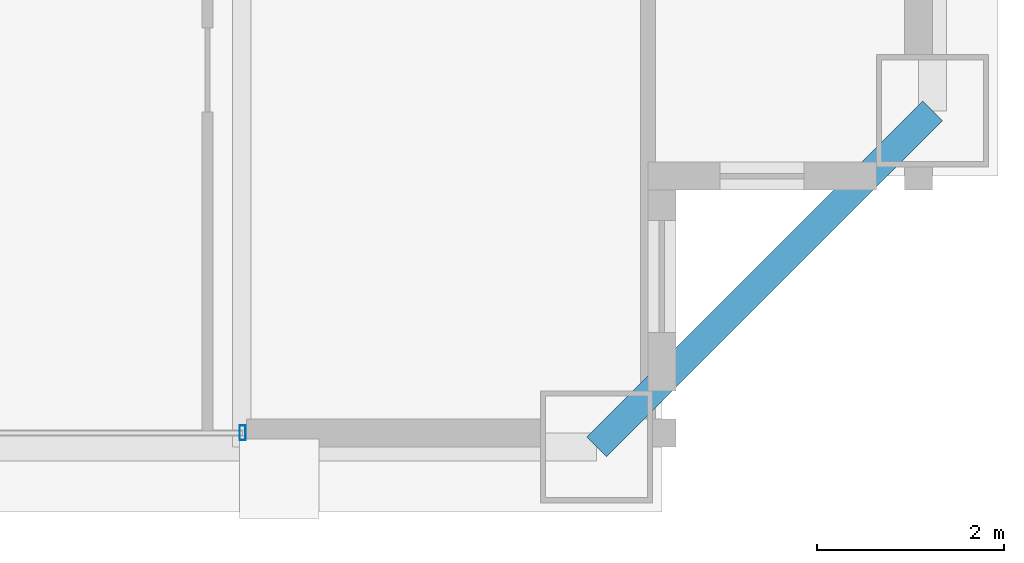
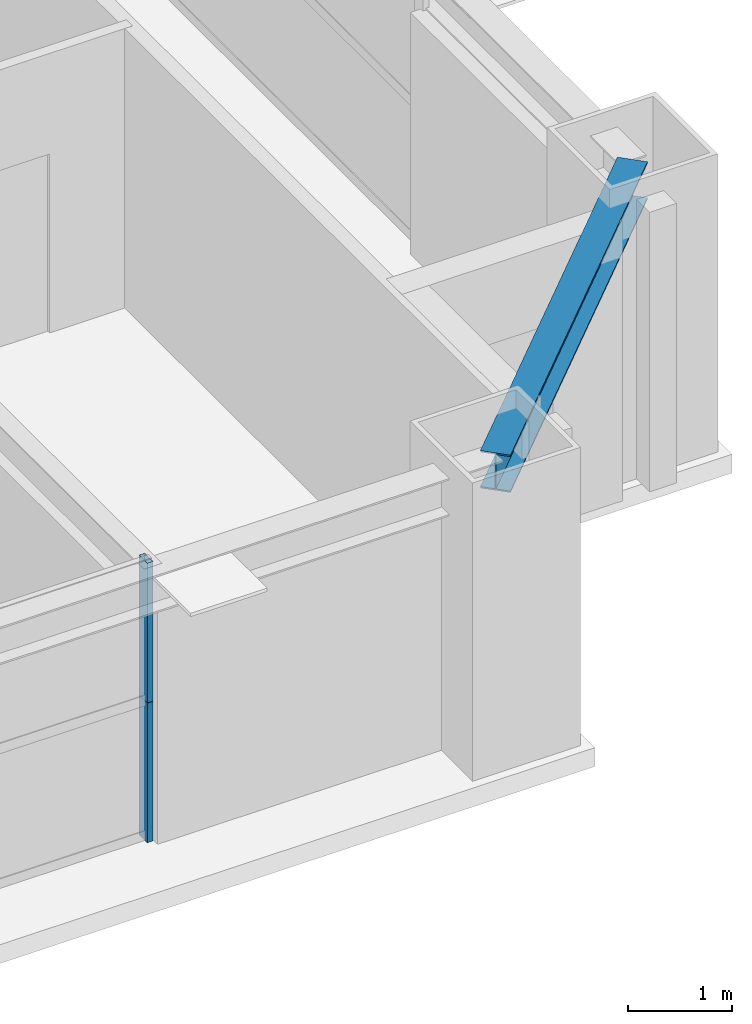
# One storey, part 15 of 36: 2 members, 1 beam, 1 element without a shape of its own.
"""IFC4 building model written with IfcOpenShell, lengths in metres."""

from ifc_helpers import new_model, si_unit, direction, frame, origin, origin_2d, place, context, subcontext, project, spatial, hollow_rectangle, i_section, extrude, source, transform, mapped, material, layer, layer_set, material_profile, profile_set, type_object, element, aggregate, save


model = new_model("IFC4")

# Units and contexts
model_context = context("Model", 3, precision=1e-05, world=origin(), true_north=direction((0.0, 1.0)))
body_context = subcontext(model_context, "Body", "Model", "MODEL_VIEW")
ifc_project = project(units=[si_unit("LENGTHUNIT", "METRE"), si_unit("AREAUNIT", "SQUARE_METRE"), si_unit("VOLUMEUNIT", "CUBIC_METRE"), si_unit("PLANEANGLEUNIT", "RADIAN"), si_unit("MASSUNIT", "GRAM", prefix="KILO"), si_unit("THERMODYNAMICTEMPERATUREUNIT", "KELVIN"), si_unit("POWERUNIT", "WATT")], contexts=[model_context])

# Site, building, storey
site_placement = place(None, origin())
site = spatial("IfcSite", under=ifc_project, at=site_placement, CompositionType="ELEMENT")
building_placement = place(site_placement, origin())
building = spatial("IfcBuilding", under=site, at=building_placement, Name="Yuzanri Waterfront Tower", CompositionType="ELEMENT")
storey_placement = place(building_placement, frame((0.0, 0.0, 231.10009765625)))
storey = spatial("IfcBuildingStorey", under=building, at=storey_placement, Name="L61", CompositionType="ELEMENT", Elevation=231.10009765625)

# Beam
ifc_material_1 = material(Name="Steel Q355B", Category="steel")
ifc_material_profile_1 = material_profile(ifc_material_1, i_section(OverallWidth=0.300048828125, OverallDepth=0.43994140625, WebThickness=0.010986328125, FlangeThickness=0.01806640625, at=origin_2d()), Name="HM 440x300x11x18")
ifc_profile_set_1 = profile_set([ifc_material_profile_1], Name="Steel Q355B")
beam_type = type_object("IfcBeamType", Name="Perimeter Spandrel Q355B HM 440x300", PredefinedType="SPANDREL", material=ifc_profile_set_1)
shared_shape_1 = source(origin(), body_context, "Body", "SweptSolid", [
    extrude(i_section(OverallWidth=0.300048828125, OverallDepth=0.43994140625, WebThickness=0.010986328125, FlangeThickness=0.01806640625, at=origin_2d()), origin(), (0.0, 0.0, 1.0), 5.09130859375),
])
beam_placement = place(storey_placement, frame((54.0, 5.199951171875, 3.059814453125), z_axis=(0.707106781187, 0.707106781187, 0.0), x_axis=(-0.707106781187, 0.707106781187, 0.0)))
element("IfcBeam", 1, at=beam_placement, inside=storey, type_object=beam_type, Name="L61 Perimeter Spandrel S3-E1", PredefinedType="SPANDREL", context=body_context, shape_type="MappedRepresentation", body=[
    mapped(shared_shape_1, transform((0.0, 0.0, 0.0), scale=1.0)),
])

# Curtain wall, members
ifc_material_2 = material(Name="Anodized Architectural Bronze", Category="metal")
ifc_layer = layer(ifc_material_2, 0.159912109375)
ifc_layer_set = layer_set([ifc_layer], Name="Anodized Architectural Bronze")
curtain_wall_type = type_object("IfcCurtainWallType", Name="Anodized Bronze Mid-Rise Residential Acoustic Unitized Curtain Wall 7200", PredefinedType="NOTDEFINED", material=ifc_layer_set)
curtain_wall_placement = place(storey_placement, origin())
curtain_wall = element("IfcCurtainWall", 2, at=curtain_wall_placement, inside=storey, type_object=curtain_wall_type, Name="L61 Curtain Wall CW-L61-SR", PredefinedType="NOTDEFINED")
ifc_material_3 = material(Name="Anodized Architectural Bronze", Category="metal")
ifc_material_profile_2 = material_profile(ifc_material_3, hollow_rectangle(XDim=0.06494140625, YDim=0.159912109375, WallThickness=0.00341796875, at=origin_2d()), Name="CWM 65x160")
ifc_profile_set_2 = profile_set([ifc_material_profile_2], Name="Anodized Architectural Bronze")
member_type = type_object("IfcMemberType", Name="Anodized Bronze Upper-Zone Curtain-Wall Mullion 65x160", PredefinedType="MULLION", material=ifc_profile_set_2)
shared_shape_2 = source(origin(), body_context, "Body", "SweptSolid", [
    extrude(hollow_rectangle(XDim=0.06494140625, YDim=0.159912109375, WallThickness=0.00341796875, at=origin_2d()), origin(), (0.0, 0.0, 1.0), 1.637939453125),
])
member_1_placement = place(storey_placement, frame((50.2099609375, 5.35009765625, 0.0), z_axis=(0.0, 0.0, 1.0), x_axis=(1.0, 0.0, 0.0)))
member_1 = element("IfcMember", 3, at=member_1_placement, type_object=member_type, Name="CW-L61-SR Lower Mullion 02", PredefinedType="MULLION", context=body_context, shape_type="MappedRepresentation", body=[
    mapped(shared_shape_2, transform((0.0, 0.0, 0.0), scale=1.0)),
])
member_2_placement = place(storey_placement, frame((50.2099609375, 5.35009765625, 1.641845703125), z_axis=(0.0, 0.0, 1.0), x_axis=(1.0, 0.0, 0.0)))
member_2 = element("IfcMember", 4, at=member_2_placement, type_object=member_type, Name="CW-L61-SR Upper Mullion 02", PredefinedType="MULLION", context=body_context, shape_type="MappedRepresentation", body=[
    mapped(shared_shape_2, transform((0.0, 0.0, 0.0), scale=1.0)),
])
aggregate(curtain_wall, [member_1, member_2])

save(model, "model.ifc")
